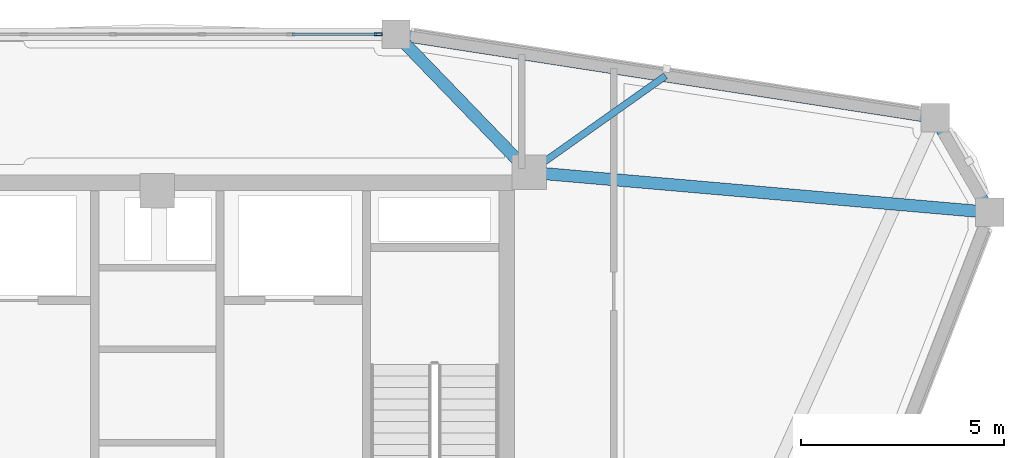
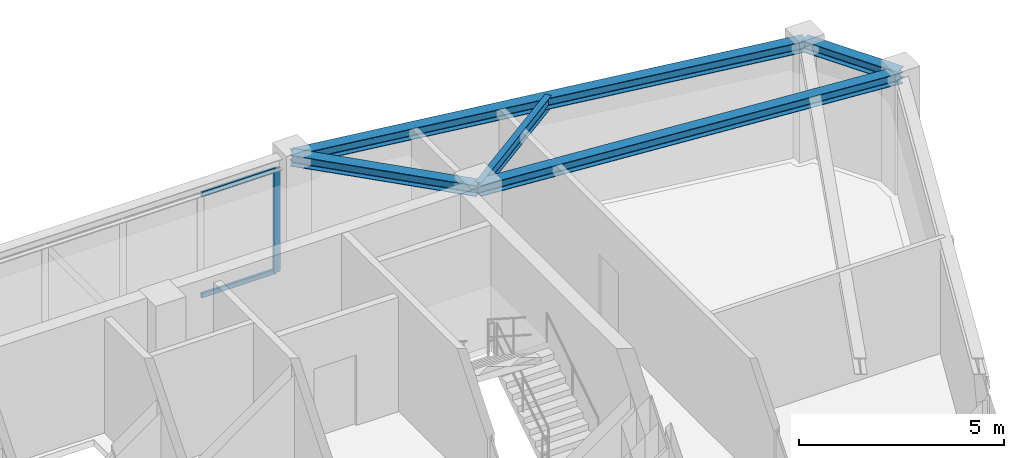
# One storey, part 10 of 15: 5 beams, 3 members, 1 element without a shape of its own.
"""IFC4 building model written with IfcOpenShell, lengths in metres."""

from ifc_helpers import new_model, si_unit, derived_unit, direction, frame, origin, origin_2d, place, context, subcontext, project, spatial, hollow_rectangle, i_section, extrude, source, transform, mapped, material, layer, layer_set, material_profile, profile_set, type_object, element, aggregate, save


model = new_model("IFC4")

# Units and contexts
model_context = context("Model", 3, precision=1e-05, world=origin(), true_north=direction((0.0, 1.0)))
body_context = subcontext(model_context, "Body", "Model", "MODEL_VIEW")
ifc_project = project(units=[si_unit("LENGTHUNIT", "METRE"), si_unit("AREAUNIT", "SQUARE_METRE"), si_unit("VOLUMEUNIT", "CUBIC_METRE"), si_unit("PLANEANGLEUNIT", "RADIAN"), si_unit("MASSUNIT", "GRAM", prefix="KILO"), derived_unit("THERMALTRANSMITTANCEUNIT", [(si_unit("POWERUNIT", "WATT"), 1), (si_unit("LENGTHUNIT", "METRE"), -2), (si_unit("THERMODYNAMICTEMPERATUREUNIT", "KELVIN"), -1)])], contexts=[model_context])

# Site, building, storey
site_placement = place(None, origin())
site = spatial("IfcSite", under=ifc_project, at=site_placement, CompositionType="ELEMENT")
building_placement = place(site_placement, origin())
building = spatial("IfcBuilding", under=site, at=building_placement, Name="Korsvarv Bourse and Concert Hall", CompositionType="ELEMENT")
storey_placement = place(building_placement, frame((0.0, 0.0, 264.60009765625)))
storey = spatial("IfcBuildingStorey", under=building, at=storey_placement, Name="L69", CompositionType="ELEMENT", Elevation=264.60009765625)

# Beams
ifc_material_1 = material(Name="Steel S355", Category="steel")
ifc_material_profile_1 = material_profile(ifc_material_1, i_section(OverallWidth=0.300048828125, OverallDepth=0.330078125, WebThickness=0.009521484375, FlangeThickness=0.0166015625, FilletRadius=0.02099609375, at=origin_2d()), Name="HEA 340")
ifc_profile_set_1 = profile_set([ifc_material_profile_1], Name="Steel S355")
beam_type_1 = type_object("IfcBeamType", Name="BM-HEA340", PredefinedType="BEAM", material=ifc_profile_set_1)
shared_shape_1 = source(origin(), body_context, "Body", "SweptSolid", [
    extrude(i_section(OverallWidth=0.300048828125, OverallDepth=0.330078125, WebThickness=0.009521484375, FlangeThickness=0.0166015625, FilletRadius=0.02099609375, at=origin_2d()), origin(), (0.0, 0.0, 1.0), 2.6923828125),
])
beam_1_placement = place(storey_placement, frame((56.47412109375, 46.266357421875, 3.244873046875), z_axis=(-0.500020738559, 0.86601343004, 0.0), x_axis=(-0.86601343004, -0.500020738559, 0.0)))
element("IfcBeam", 1, at=beam_1_placement, inside=storey, type_object=beam_type_1, Name="L69 beam B-12", PredefinedType="BEAM", context=body_context, shape_type="MappedRepresentation", body=[
    mapped(shared_shape_1, transform((0.0, 0.0, 0.0), scale=1.0)),
])
shared_shape_2 = source(origin(), body_context, "Body", "SweptSolid", [
    extrude(i_section(OverallWidth=0.300048828125, OverallDepth=0.330078125, WebThickness=0.009521484375, FlangeThickness=0.0166015625, FilletRadius=0.02099609375, at=origin_2d()), origin(), (0.0, 0.0, 1.0), 13.416015625),
])
beam_2_placement = place(storey_placement, frame((55.1279296875, 48.597900390625, 3.244873046875), z_axis=(-0.988270074885, 0.152716269881, 0.0), x_axis=(-0.152716269881, -0.988270074885, 0.0)))
element("IfcBeam", 2, at=beam_2_placement, inside=storey, type_object=beam_type_1, Name="L69 beam B-12", PredefinedType="BEAM", context=body_context, shape_type="MappedRepresentation", body=[
    mapped(shared_shape_2, transform((0.0, 0.0, 0.0), scale=1.0)),
])
shared_shape_3 = source(origin(), body_context, "Body", "SweptSolid", [
    extrude(i_section(OverallWidth=0.300048828125, OverallDepth=0.330078125, WebThickness=0.009521484375, FlangeThickness=0.0166015625, FilletRadius=0.02099609375, at=origin_2d()), origin(), (0.0, 0.0, 1.0), 11.366943359375),
])
beam_3_placement = place(storey_placement, frame((56.47412109375, 46.266357421875, 3.244873046875), z_axis=(-0.996248723785, 0.086536006126, 0.0), x_axis=(-0.086536006126, -0.996248723785, 0.0)))
element("IfcBeam", 3, at=beam_3_placement, inside=storey, type_object=beam_type_1, Name="L69 beam B-12", PredefinedType="BEAM", context=body_context, shape_type="MappedRepresentation", body=[
    mapped(shared_shape_3, transform((0.0, 0.0, 0.0), scale=1.0)),
])
shared_shape_4 = source(origin(), body_context, "Body", "SweptSolid", [
    extrude(i_section(OverallWidth=0.300048828125, OverallDepth=0.330078125, WebThickness=0.009521484375, FlangeThickness=0.0166015625, FilletRadius=0.02099609375, at=origin_2d()), origin(), (0.0, 0.0, 1.0), 4.72216796875),
])
beam_4_placement = place(storey_placement, frame((41.869384765625, 50.646728515625, 3.244873046875), z_axis=(0.694695075658, -0.71930435273, 0.0), x_axis=(0.71930435273, 0.694695075658, 0.0)))
element("IfcBeam", 4, at=beam_4_placement, inside=storey, type_object=beam_type_1, Name="L69 beam B-12", PredefinedType="BEAM", context=body_context, shape_type="MappedRepresentation", body=[
    mapped(shared_shape_4, transform((0.0, 0.0, 0.0), scale=1.0)),
])
ifc_material_profile_2 = material_profile(ifc_material_1, i_section(OverallWidth=0.169921875, OverallDepth=0.360107421875, WebThickness=0.008056640625, FlangeThickness=0.0126953125, FilletRadius=0.01806640625, at=origin_2d()), Name="IPE 360")
ifc_profile_set_2 = profile_set([ifc_material_profile_2], Name="Steel S355")
beam_type_2 = type_object("IfcBeamType", Name="BM-IPE360", PredefinedType="JOIST", material=ifc_profile_set_2)
shared_shape_5 = source(origin(), body_context, "Body", "SweptSolid", [
    extrude(i_section(OverallWidth=0.169921875, OverallDepth=0.360107421875, WebThickness=0.008056640625, FlangeThickness=0.0126953125, FilletRadius=0.01806640625, at=origin_2d()), origin(), (0.0, 0.0, 1.0), 4.10400390625),
])
beam_5_placement = place(storey_placement, frame((48.498779296875, 49.622314453125, 3.22998046875), z_axis=(-0.816002266915, -0.578048700708, 0.0), x_axis=(0.578048700708, -0.816002266915, 0.0)))
element("IfcBeam", 5, at=beam_5_placement, inside=storey, type_object=beam_type_2, Name="L69 beam J-06", PredefinedType="JOIST", context=body_context, shape_type="MappedRepresentation", body=[
    mapped(shared_shape_5, transform((0.0, 0.0, 0.0), scale=1.0)),
])

# Curtain wall, members
ifc_material_2 = material(Name="Anodised aluminium and triple low-E glazing", Category="glass")
ifc_layer = layer(ifc_material_2, 0.199951171875)
ifc_layer_set = layer_set([ifc_layer], Name="Anodised aluminium and triple low-E glazing")
curtain_wall_type = type_object("IfcCurtainWallType", Name="CW-SYS-3", PredefinedType="NOTDEFINED", material=ifc_layer_set)
curtain_wall_placement = place(storey_placement, origin())
curtain_wall = element("IfcCurtainWall", 6, at=curtain_wall_placement, inside=storey, type_object=curtain_wall_type, Name="L69 CW3 curtain wall CW-L69-F03", PredefinedType="NOTDEFINED")
ifc_material_3 = material(Name="Extruded aluminium EN AW-6063 T66", Category="aluminium")
ifc_material_profile_3 = material_profile(ifc_material_3, hollow_rectangle(XDim=0.070068359375, YDim=0.18994140625, WallThickness=0.0048828125, at=origin_2d()), Name="ALU-M 70x190")
ifc_profile_set_3 = profile_set([ifc_material_profile_3], Name="Extruded aluminium EN AW-6063 T66")
member_type_1 = type_object("IfcMemberType", Name="CWM-190", PredefinedType="MULLION", material=ifc_profile_set_3)
shared_shape_6 = source(origin(), body_context, "Body", "SweptSolid", [
    extrude(hollow_rectangle(XDim=0.070068359375, YDim=0.18994140625, WallThickness=0.0048828125, at=origin_2d()), origin(), (0.0, 0.0, 1.0), 3.079833984375),
])
member_1_placement = place(storey_placement, frame((41.4345703125, 50.646728515625, 0.0), z_axis=(0.0, 0.0, 1.0), x_axis=(0.0, -1.0, 0.0)))
member_1 = element("IfcMember", 7, at=member_1_placement, type_object=member_type_1, Name="CW3 mullion 1", PredefinedType="MULLION", context=body_context, shape_type="MappedRepresentation", body=[
    mapped(shared_shape_6, transform((0.0, 0.0, 0.0), scale=1.0)),
])
ifc_material_profile_4 = material_profile(ifc_material_3, hollow_rectangle(XDim=0.06494140625, YDim=0.139892578125, WallThickness=0.00390625, at=origin_2d()), Name="ALU-T 65x140")
ifc_profile_set_4 = profile_set([ifc_material_profile_4], Name="Extruded aluminium EN AW-6063 T66")
member_type_2 = type_object("IfcMemberType", Name="CWT-140", PredefinedType="USERDEFINED", material=ifc_profile_set_4)
shared_shape_7 = source(origin(), body_context, "Body", "SweptSolid", [
    extrude(hollow_rectangle(XDim=0.06494140625, YDim=0.139892578125, WallThickness=0.00390625, at=origin_2d()), origin(), (0.0, 0.0, 1.0), 2.082763671875),
])
member_2_placement = place(storey_placement, frame((41.3994140625, 50.646728515625, 0.032470703125), z_axis=(-1.0, 0.0, 0.0), x_axis=(0.0, -1.0, 0.0)))
member_2 = element("IfcMember", 8, at=member_2_placement, type_object=member_type_2, Name="CW3 transom 1.1", ObjectType="TRANSOM", PredefinedType="USERDEFINED", context=body_context, shape_type="MappedRepresentation", body=[
    mapped(shared_shape_7, transform((0.0, 0.0, 0.0), scale=1.0)),
])
member_3_placement = place(storey_placement, frame((41.3994140625, 50.646728515625, 3.04736328125), z_axis=(-1.0, 0.0, 0.0), x_axis=(0.0, -1.0, 0.0)))
member_3 = element("IfcMember", 9, at=member_3_placement, type_object=member_type_2, Name="CW3 transom 1.2", ObjectType="TRANSOM", PredefinedType="USERDEFINED", context=body_context, shape_type="MappedRepresentation", body=[
    mapped(shared_shape_7, transform((0.0, 0.0, 0.0), scale=1.0)),
])
aggregate(curtain_wall, [member_1, member_2, member_3])

save(model, "model.ifc")
